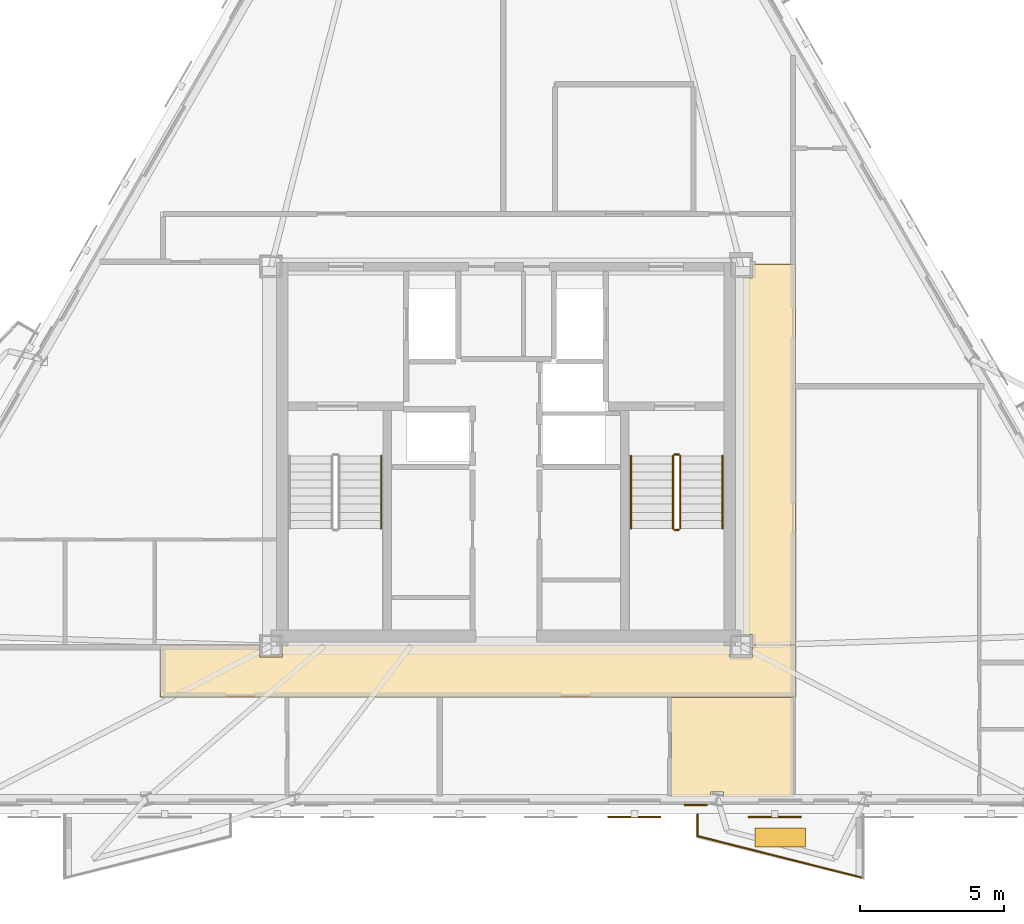
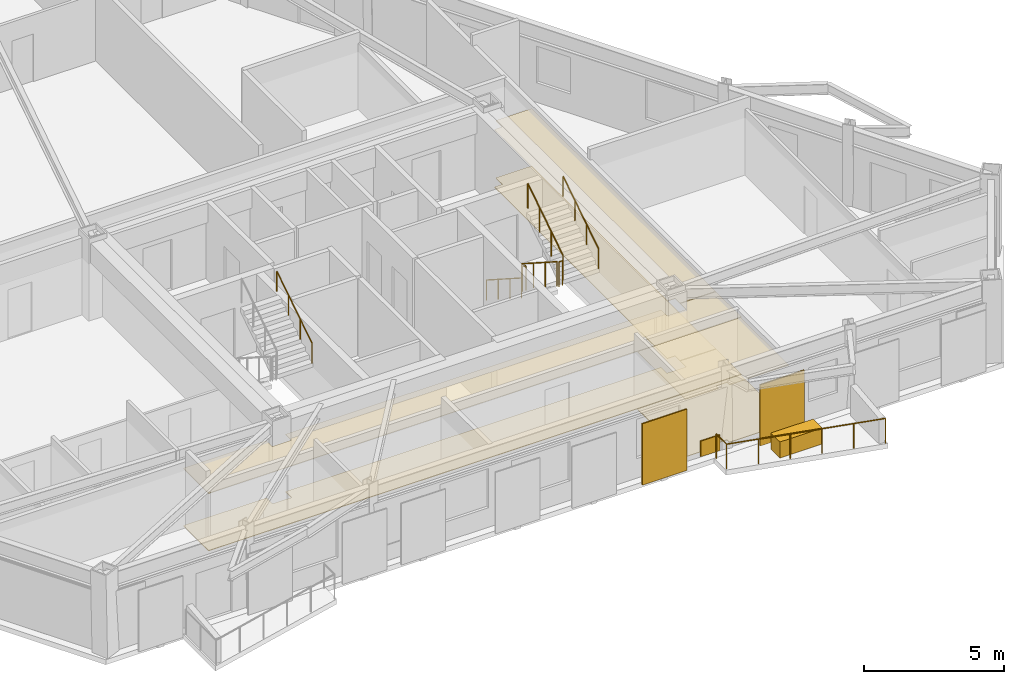
# One storey, part 7 of 8: 9 railings, 8 coverings, 2 shading devices.
"""IFC4 building model written with IfcOpenShell, lengths in metres."""

import ifcopenshell
import ifcopenshell.guid

model = None  # the IFC model being written
_history = None  # IfcOwnerHistory: only IFC2X3 demands one
_inside = {}  # id of a spatial element -> (the spatial element, [elements in it])
_under = {}  # id of a project, library or spatial element -> (it, [spatial elements below it])
_declared = {}  # id of a project -> (the project, [libraries it declares])
_typed = {}  # id of a type object -> (the type object, [elements of that type])
_made_of = {}  # id of a material, layer set ... -> (it, [elements and type objects made of it])


def new_model(schema):
    """Start an empty IFC model of exactly this schema.

    Asked for "IFC4X3", IfcOpenShell would pick the latest addendum, in which some entities
    have other attributes; the version numbers below select the first issue.
    IFC2X3 requires an IfcOwnerHistory on every rooted entity: one is made here for all.
    """
    global model, _history
    if schema == "IFC4X3":
        model = ifcopenshell.file(schema_version=(4, 3, 0, 0))
    else:
        model = ifcopenshell.file(schema=schema)
    _inside.clear()
    _under.clear()
    _declared.clear()
    _typed.clear()
    _made_of.clear()
    _history = None
    if model.schema == "IFC2X3":
        org = make("IfcOrganization", Name="unknown")
        user = make(
            "IfcPersonAndOrganization",
            ThePerson=make("IfcPerson", FamilyName="unknown"),
            TheOrganization=org,
        )
        app = make(
            "IfcApplication",
            ApplicationDeveloper=org,
            Version="unknown",
            ApplicationFullName="unknown",
            ApplicationIdentifier="unknown",
        )
        _history = make(
            "IfcOwnerHistory",
            OwningUser=user,
            OwningApplication=app,
            ChangeAction="ADDED",
            CreationDate=0,
        )
    return model


def make(cls, **values):
    """One entity of the class cls with the attributes given. An attribute that is None is left unset."""
    return model.create_entity(
        cls, **{name: value for name, value in values.items() if value is not None}
    )


def rooted(cls, **values):
    """An entity with a GlobalId (a new one), such as an element, a storey or a relation."""
    return make(cls, GlobalId=ifcopenshell.guid.new(), OwnerHistory=_history, **values)


def si_unit(unit_type, name, prefix=None):
    """IfcSIUnit, for example si_unit("LENGTHUNIT", "METRE", prefix="MILLI")."""
    return make("IfcSIUnit", UnitType=unit_type, Prefix=prefix, Name=name)


def assignment(units):
    """IfcUnitAssignment: the units of a project."""
    return None if units is None else make("IfcUnitAssignment", Units=units)


def point(xyz):
    """IfcCartesianPoint."""
    return None if xyz is None else make("IfcCartesianPoint", Coordinates=xyz)


def direction(xyz):
    """IfcDirection."""
    return None if xyz is None else make("IfcDirection", DirectionRatios=xyz)


def frame(location, z_axis=None, x_axis=None):
    """IfcAxis2Placement3D, a coordinate frame: its origin and axes. An axis left out is left unset."""
    return make(
        "IfcAxis2Placement3D",
        Location=point(location),
        Axis=direction(z_axis),
        RefDirection=direction(x_axis),
    )


def frame_2d(location, x_axis=None):
    """IfcAxis2Placement2D, a coordinate frame in the plane: its origin and x axis."""
    return make(
        "IfcAxis2Placement2D", Location=point(location), RefDirection=direction(x_axis)
    )


def origin():
    """The frame at (0, 0, 0) with its axes left unset."""
    return frame((0.0, 0.0, 0.0))


def origin_2d():
    """The frame at (0, 0) in the plane with its x axis left unset."""
    return frame_2d((0.0, 0.0))


def place(relative_to, where):
    """IfcLocalPlacement: puts the frame where relative to a parent placement (None: the world)."""
    return make(
        "IfcLocalPlacement", PlacementRelTo=relative_to, RelativePlacement=where
    )


def context(
    kind, dimensions, precision=None, world=None, true_north=None, identifier=None
):
    """IfcGeometricRepresentationContext, for example the 3D "Model" context."""
    return make(
        "IfcGeometricRepresentationContext",
        ContextIdentifier=identifier,
        ContextType=kind,
        CoordinateSpaceDimension=dimensions,
        Precision=precision,
        WorldCoordinateSystem=world,
        TrueNorth=true_north,
    )


def subcontext(parent, identifier, kind, view, scale=None):
    """IfcGeometricRepresentationSubContext, for example "Body" below "Model"."""
    return make(
        "IfcGeometricRepresentationSubContext",
        ContextIdentifier=identifier,
        ContextType=kind,
        ParentContext=parent,
        TargetScale=scale,
        TargetView=view,
    )


def project(units=None, contexts=None):
    """IfcProject with its units and contexts."""
    return rooted(
        "IfcProject",
        Name="project",
        RepresentationContexts=contexts,
        UnitsInContext=assignment(units),
    )


def spatial(cls, under=None, at=None, **own):
    """A site, building, storey or space (cls), placed at a placement, below another one or the project."""
    s = rooted(cls, ObjectPlacement=at, **own)
    if under is not None:
        _under.setdefault(under.id(), (under, []))[1].append(s)
    return s


def polyline(points):
    """IfcPolyline through the points."""
    return make("IfcPolyline", Points=[point(p) for p in points])


def profile(cls, at=None, kind="AREA", **sizes):
    """A parametric profile (cls). Its sizes go by their IFC names, for example OverallWidth=200.0."""
    return make(cls, ProfileType=kind, Position=at, **sizes)


def rectangle(**sizes):
    """IfcRectangleProfileDef."""
    return profile("IfcRectangleProfileDef", **sizes)


def circle(**sizes):
    """IfcCircleProfileDef."""
    return profile("IfcCircleProfileDef", **sizes)


def outline(outer, holes=None, kind="AREA"):
    """IfcArbitraryClosedProfileDef: a profile drawn as a closed curve; with holes, ...WithVoids."""
    if holes is None:
        return make("IfcArbitraryClosedProfileDef", ProfileType=kind, OuterCurve=outer)
    return make(
        "IfcArbitraryProfileDefWithVoids",
        ProfileType=kind,
        OuterCurve=outer,
        InnerCurves=holes,
    )


def extrude(swept, where, along, depth):
    """IfcExtrudedAreaSolid: the profile swept, set in the frame where, extruded along a direction by depth."""
    return make(
        "IfcExtrudedAreaSolid",
        SweptArea=swept,
        Position=where,
        ExtrudedDirection=direction(along),
        Depth=depth,
    )


def shape(context_of_items, identifier, shape_type, items):
    """IfcShapeRepresentation: the items that make up one representation, for example the "Body"."""
    return make(
        "IfcShapeRepresentation",
        ContextOfItems=context_of_items,
        RepresentationIdentifier=identifier,
        RepresentationType=shape_type,
        Items=items,
    )


def material(Name=None, Category=None):
    """IfcMaterial."""
    return make("IfcMaterial", Name=Name, Category=Category)


def layer(
    of_material, thickness, ventilated=None, Name=None, Category=None, Priority=None
):
    """IfcMaterialLayer: one layer of a wall or slab, of a material (None: an air gap)."""
    return make(
        "IfcMaterialLayer",
        Material=of_material,
        LayerThickness=thickness,
        IsVentilated=ventilated,
        Name=Name,
        Category=Category,
        Priority=Priority,
    )


def layer_set(layers, Name=None):
    """IfcMaterialLayerSet."""
    return make("IfcMaterialLayerSet", MaterialLayers=layers, LayerSetName=Name)


def made_of(thing, what):
    """Note that an element or type object is made of a material, layer set ...; save() writes the relation."""
    if what is not None:
        _made_of.setdefault(what.id(), (what, []))[1].append(thing)
    return thing


def type_object(cls, material=None, **own):
    """A type object (cls), such as IfcWallType, which elements share."""
    return made_of(rooted(cls, **own), material)


def element(
    cls,
    number,
    at=None,
    inside=None,
    cuts=None,
    type_object=None,
    material=None,
    context=None,
    identifier="Body",
    shape_type=None,
    held_by="IfcProductDefinitionShape",
    body=None,
    shapes=None,
    **own,
):
    """One element of the class cls, such as IfcWall. Its Tag is "e" and its number.

    at: its placement. inside: the storey or other place that contains it. cuts: it is an
    opening in that element (IfcRelVoidsElement). A single representation is given by context,
    identifier, shape_type and body (its items); several are given by shapes. held_by: the class
    of the entity that holds the representations. save() writes the other relations.
    """
    e = rooted(cls, Tag="e%d" % number, ObjectPlacement=at, **own)
    if body is not None:
        shapes = [shape(context, identifier, shape_type, body)]
    if shapes is not None:
        e.Representation = make(held_by, Representations=shapes)
    if inside is not None:
        _inside.setdefault(inside.id(), (inside, []))[1].append(e)
    if cuts is not None:
        rooted(
            "IfcRelVoidsElement", RelatingBuildingElement=cuts, RelatedOpeningElement=e
        )
    if type_object is not None:
        _typed.setdefault(type_object.id(), (type_object, []))[1].append(e)
    return made_of(e, material)


def aggregate(whole, parts):
    """IfcRelAggregates: a whole, such as a stair, and the parts it consists of."""
    return rooted("IfcRelAggregates", RelatingObject=whole, RelatedObjects=parts)


def save(model, path):
    """Write the relations noted so far, then the file.

    IfcRelAggregates (storeys below a building ...), IfcRelContainedInSpatialStructure (elements
    in a storey), IfcRelDefinesByType, IfcRelAssociatesMaterial and IfcRelDeclares: one each for
    every whole, place, type object, material and project.
    """
    for whole, parts in _under.values():
        aggregate(whole, parts)
    for where, things in _inside.values():
        rooted(
            "IfcRelContainedInSpatialStructure",
            RelatedElements=things,
            RelatingStructure=where,
        )
    for kind, things in _typed.values():
        rooted("IfcRelDefinesByType", RelatedObjects=things, RelatingType=kind)
    for what, things in _made_of.values():
        rooted("IfcRelAssociatesMaterial", RelatedObjects=things, RelatingMaterial=what)
    for by, libraries in _declared.values():
        rooted("IfcRelDeclares", RelatingContext=by, RelatedDefinitions=libraries)
    model.write(path)


model = new_model("IFC4")

# Units and contexts
model_context = context("Model", 3, precision=1e-05, world=origin(), true_north=direction((0.0, 1.0)))
body_context = subcontext(model_context, "Body", "Model", "MODEL_VIEW")
ifc_project = project(units=[si_unit("LENGTHUNIT", "METRE"), si_unit("AREAUNIT", "SQUARE_METRE"), si_unit("VOLUMEUNIT", "CUBIC_METRE"), si_unit("PLANEANGLEUNIT", "RADIAN"), si_unit("MASSUNIT", "GRAM", prefix="KILO")], contexts=[model_context])

# Site, building, storey
site_placement = place(None, origin())
site = spatial("IfcSite", under=ifc_project, at=site_placement, CompositionType="ELEMENT")
building_placement = place(site_placement, origin())
building = spatial("IfcBuilding", under=site, at=building_placement, Name="Oramaril Tower", CompositionType="ELEMENT")
storey_placement = place(building_placement, frame((0.0, 0.0, 216.300048828125)))
storey = spatial("IfcBuildingStorey", under=building, at=storey_placement, Name="L57", CompositionType="ELEMENT", Elevation=216.300048828125)

# Coverings
ifc_material_1 = material(Name="Mineral Fibre Acoustic Ceiling")
ifc_layer_1 = layer(ifc_material_1, 0.02001953125)
ifc_layer_set_1 = layer_set([ifc_layer_1], Name="CVT-CEIL")
covering_type_1 = type_object("IfcCoveringType", Name="CVT-CEIL", PredefinedType="CEILING", material=ifc_layer_set_1)
covering_1_placement = place(storey_placement, frame((0.0, 0.0, 2.511962890625)))
element("IfcCovering", 1, at=covering_1_placement, inside=storey, type_object=covering_type_1, Name="L57 Acoustic Suspended Ceiling 1", PredefinedType="CEILING", context=body_context, shape_type="SweptSolid", body=[
    extrude(outline(polyline([(28.955078125, 10.60498046875), (29.7451171875, 10.60498046875), (29.7451171875, 11.030029296875), (45.2548828125, 11.030029296875), (45.2548828125, 10.60498046875), (46.044921875, 10.60498046875), (46.044921875, 11.030029296875), (47.530029296875, 11.030029296875), (47.530029296875, 9.219970703125), (25.52001953125, 9.219970703125), (25.52001953125, 11.030029296875), (28.955078125, 11.030029296875), (28.955078125, 10.60498046875)])), origin(), (0.0, 0.0, 1.0), 0.02001953125),
])
covering_2_placement = place(storey_placement, frame((0.0, 0.0, 2.511962890625)))
element("IfcCovering", 2, at=covering_2_placement, inside=storey, type_object=covering_type_1, Name="L57 Acoustic Suspended Ceiling 3", PredefinedType="CEILING", context=body_context, shape_type="SweptSolid", body=[
    extrude(outline(polyline([(47.530029296875, 11.050048828125), (46.044921875, 11.050048828125), (46.044921875, 11.39501953125), (45.719970703125, 11.39501953125), (45.719970703125, 23.7548828125), (46.044921875, 23.7548828125), (46.044921875, 24.219970703125), (47.530029296875, 24.219970703125), (47.530029296875, 11.050048828125)])), origin(), (0.0, 0.0, 1.0), 0.02001953125),
])
covering_3_placement = place(storey_placement, frame((0.0, 0.0, 2.511962890625)))
element("IfcCovering", 3, at=covering_3_placement, inside=storey, type_object=covering_type_1, Name="L57 Acoustic Suspended Ceiling 8", PredefinedType="CEILING", context=body_context, shape_type="SweptSolid", body=[
    extrude(outline(polyline([(45.046142578125, 5.9375), (44.59619140625, 5.9375), (44.59619140625, 5.759765625), (43.224609375, 5.759765625), (43.224609375, 9.199951171875), (47.491943359375, 9.199951171875), (47.491943359375, 5.759765625), (45.046142578125, 5.759765625), (45.046142578125, 5.9375)])), origin(), (0.0, 0.0, 1.0), 0.02001953125),
])
ifc_material_2 = material(Name="Warm Cream Limestone", Category="masonry")
ifc_layer_2 = layer(ifc_material_2, 0.050048828125)
ifc_layer_set_2 = layer_set([ifc_layer_2], Name="CVT-CLD")
covering_type_2 = type_object("IfcCoveringType", Name="CVT-CLD", PredefinedType="CLADDING", material=ifc_layer_set_2)
covering_4_placement = place(storey_placement, frame((44.083984375, 5.483642578125, 0.0400390625), z_axis=(0.0, 0.0, 1.0), x_axis=(1.0, 0.0, 0.0)))
element("IfcCovering", 4, at=covering_4_placement, inside=storey, type_object=covering_type_2, Name="L57 Warm Cream Limestone Spandrel Cladding", PredefinedType="CLADDING", context=body_context, shape_type="SweptSolid", body=[
    extrude(rectangle(XDim=0.800048828125, YDim=0.050048828125, at=origin_2d()), origin(), (0.0, 0.0, 1.0), 0.679931640625),
])
covering_5_placement = place(storey_placement, frame((47.0048828125, 4.355224609375, 0.0), z_axis=(0.0, 0.0, 1.0), x_axis=(1.0, 0.0, 0.0)))
element("IfcCovering", 5, at=covering_5_placement, inside=storey, type_object=covering_type_2, Name="L57 Structural Tree Planter Box L57-BAL-S2", PredefinedType="CLADDING", context=body_context, shape_type="SweptSolid", body=[
    extrude(rectangle(XDim=1.75, YDim=0.64990234375, at=origin_2d()), origin(), (0.0, 0.0, 1.0), 0.699951171875),
])
ifc_material_3 = material(Name="Honed Quartzite Stone Flooring", Category="masonry")
ifc_layer_3 = layer(ifc_material_3, 0.02490234375)
ifc_layer_set_3 = layer_set([ifc_layer_3], Name="CVT-FLR")
covering_type_3 = type_object("IfcCoveringType", Name="CVT-FLR", PredefinedType="FLOORING", material=ifc_layer_set_3)
covering_6_placement = place(storey_placement, origin())
element("IfcCovering", 6, at=covering_6_placement, inside=storey, type_object=covering_type_3, Name="L57 Honed Stone Floor Finish 1", PredefinedType="FLOORING", context=body_context, shape_type="SweptSolid", body=[
    extrude(outline(polyline([(28.955078125, 10.60498046875), (29.7451171875, 10.60498046875), (29.7451171875, 11.030029296875), (45.2548828125, 11.030029296875), (45.2548828125, 10.60498046875), (46.044921875, 10.60498046875), (46.044921875, 11.030029296875), (47.530029296875, 11.030029296875), (47.530029296875, 9.219970703125), (25.52001953125, 9.219970703125), (25.52001953125, 11.030029296875), (28.955078125, 11.030029296875), (28.955078125, 10.60498046875)])), origin(), (0.0, 0.0, 1.0), 0.02490234375),
])
covering_7_placement = place(storey_placement, origin())
element("IfcCovering", 7, at=covering_7_placement, inside=storey, type_object=covering_type_3, Name="L57 Honed Stone Floor Finish 3", PredefinedType="FLOORING", context=body_context, shape_type="SweptSolid", body=[
    extrude(outline(polyline([(47.530029296875, 11.050048828125), (46.044921875, 11.050048828125), (46.044921875, 11.39501953125), (45.719970703125, 11.39501953125), (45.719970703125, 23.7548828125), (46.044921875, 23.7548828125), (46.044921875, 24.219970703125), (47.530029296875, 24.219970703125), (47.530029296875, 11.050048828125)])), origin(), (0.0, 0.0, 1.0), 0.02490234375),
])
covering_8_placement = place(storey_placement, origin())
element("IfcCovering", 8, at=covering_8_placement, inside=storey, type_object=covering_type_3, Name="L57 Honed Stone Floor Finish 8", PredefinedType="FLOORING", context=body_context, shape_type="SweptSolid", body=[
    extrude(outline(polyline([(45.046142578125, 5.9375), (44.59619140625, 5.9375), (44.59619140625, 5.759765625), (43.224609375, 5.759765625), (43.224609375, 9.199951171875), (47.491943359375, 9.199951171875), (47.491943359375, 5.759765625), (45.046142578125, 5.759765625), (45.046142578125, 5.9375)])), origin(), (0.0, 0.0, 1.0), 0.02490234375),
])

# Railings
ifc_material_4 = material(Name="Stainless Steel 316L", Category="steel")
railing_type_1 = type_object("IfcRailingType", Name="RLT-GRD", PredefinedType="GUARDRAIL", material=ifc_material_4)
railing_1_placement = place(storey_placement, frame((49.869873046875, 2.95166015625, 0.0)))
element("IfcRailing", 9, at=railing_1_placement, inside=storey, type_object=railing_type_1, Name="L57 Balcony Guardrail L57-BAL-S2.2", PredefinedType="GUARDRAIL", context=body_context, shape_type="SweptSolid", body=[
    extrude(circle(Radius=0.02392578125, at=origin_2d()), frame((0.0, 0.0, 1.076171875), z_axis=(-0.969443611257, 0.245314256807, 0.0), x_axis=(-0.245314256807, -0.969443611257, 0.0)), (0.0, 0.0, 1.0), 5.91064453125),
    extrude(circle(Radius=0.02099609375, at=origin_2d()), origin(), (0.0, 0.0, 1.0), 1.052001953125),
    extrude(circle(Radius=0.02099609375, at=origin_2d()), frame((-1.14599609375, 0.2900390625, 0.0)), (0.0, 0.0, 1.0), 1.052001953125),
    extrude(circle(Radius=0.02099609375, at=origin_2d()), frame((-2.2919921875, 0.580078125, 0.0)), (0.0, 0.0, 1.0), 1.052001953125),
    extrude(circle(Radius=0.02099609375, at=origin_2d()), frame((-3.43798828125, 0.869873046875, 0.0)), (0.0, 0.0, 1.0), 1.052001953125),
    extrude(circle(Radius=0.02099609375, at=origin_2d()), frame((-4.583984375, 1.159912109375, 0.0)), (0.0, 0.0, 1.0), 1.052001953125),
    extrude(circle(Radius=0.02099609375, at=origin_2d()), frame((-5.72998046875, 1.449951171875, 0.0)), (0.0, 0.0, 1.0), 1.052001953125),
])
railing_2_placement = place(storey_placement, frame((44.139892578125, 4.401611328125, 0.0)))
element("IfcRailing", 10, at=railing_2_placement, inside=storey, type_object=railing_type_1, Name="L57 Balcony Guardrail L57-BAL-S2.3", PredefinedType="GUARDRAIL", context=body_context, shape_type="SweptSolid", body=[
    extrude(circle(Radius=0.02392578125, at=origin_2d()), frame((0.0, 0.0, 1.076171875), z_axis=(0.0, 1.0, 0.0), x_axis=(-1.0, 0.0, 0.0)), (0.0, 0.0, 1.0), 0.7421875),
    extrude(circle(Radius=0.02099609375, at=origin_2d()), origin(), (0.0, 0.0, 1.0), 1.052001953125),
    extrude(circle(Radius=0.02099609375, at=origin_2d()), frame((0.0, 0.7421875, 0.0)), (0.0, 0.0, 1.0), 1.052001953125),
])
railing_3_placement = place(storey_placement, frame((43.2900390625, 17.590087890625, 0.179931640625)))
element("IfcRailing", 11, at=railing_3_placement, inside=storey, type_object=railing_type_1, Name="L57 ST-2 stair guard 1", PredefinedType="GUARDRAIL", context=body_context, shape_type="SweptSolid", body=[
    extrude(circle(Radius=0.02392578125, at=origin_2d()), frame((0.0, 0.0, 1.076171875), z_axis=(0.0, -0.841162588446, 0.540782303519), x_axis=(1.0, 0.0, 0.0)), (0.0, 0.0, 1.0), 2.995849609375),
    extrude(circle(Radius=0.02099609375, at=origin_2d()), origin(), (0.0, 0.0, 1.0), 1.052001953125),
    extrude(circle(Radius=0.02099609375, at=origin_2d()), frame((0.0, -0.840087890625, 0.5400390625)), (0.0, 0.0, 1.0), 1.052001953125),
    extrude(circle(Radius=0.02099609375, at=origin_2d()), frame((0.0, -1.679931640625, 1.080078125)), (0.0, 0.0, 1.0), 1.052001953125),
    extrude(circle(Radius=0.02099609375, at=origin_2d()), frame((0.0, -2.52001953125, 1.6201171875)), (0.0, 0.0, 1.0), 1.052001953125),
])
railing_4_placement = place(storey_placement, frame((43.340087890625, 15.02001953125, 1.800048828125)))
element("IfcRailing", 12, at=railing_4_placement, inside=storey, type_object=railing_type_1, Name="L57 ST-2 stair guard 2", PredefinedType="GUARDRAIL", context=body_context, shape_type="SweptSolid", body=[
    extrude(circle(Radius=0.02392578125, at=origin_2d()), frame((0.0, 0.0, 1.076171875), z_axis=(1.0, 0.0, 0.0), x_axis=(0.0, 1.0, 0.0)), (0.0, 0.0, 1.0), 0.14990234375),
    extrude(circle(Radius=0.02099609375, at=origin_2d()), origin(), (0.0, 0.0, 1.0), 1.052001953125),
    extrude(circle(Radius=0.02099609375, at=origin_2d()), frame((0.14990234375, 0.0, 0.0)), (0.0, 0.0, 1.0), 1.052001953125),
])
railing_5_placement = place(storey_placement, frame((43.5400390625, 15.070068359375, 1.97998046875)))
element("IfcRailing", 13, at=railing_5_placement, inside=storey, type_object=railing_type_1, Name="L57 ST-2 stair guard 3", PredefinedType="GUARDRAIL", context=body_context, shape_type="SweptSolid", body=[
    extrude(circle(Radius=0.02392578125, at=origin_2d()), frame((0.0, 0.0, 1.076171875), z_axis=(0.0, 0.841199657755, 0.540724639528), x_axis=(-1.0, 0.0, 0.0)), (0.0, 0.0, 1.0), 2.995849609375),
    extrude(circle(Radius=0.02099609375, at=origin_2d()), origin(), (0.0, 0.0, 1.0), 1.052001953125),
    extrude(circle(Radius=0.02099609375, at=origin_2d()), frame((0.0, 0.840087890625, 0.5400390625)), (0.0, 0.0, 1.0), 1.052001953125),
    extrude(circle(Radius=0.02099609375, at=origin_2d()), frame((0.0, 1.679931640625, 1.079833984375)), (0.0, 0.0, 1.0), 1.052001953125),
    extrude(circle(Radius=0.02099609375, at=origin_2d()), frame((0.0, 2.52001953125, 1.619873046875)), (0.0, 0.0, 1.0), 1.052001953125),
])
railing_6_placement = place(storey_placement, frame((43.340087890625, 17.639892578125, 0.0)))
element("IfcRailing", 14, at=railing_6_placement, inside=storey, type_object=railing_type_1, Name="L57 ST-2 stair guard 4", PredefinedType="GUARDRAIL", context=body_context, shape_type="SweptSolid", body=[
    extrude(circle(Radius=0.02392578125, at=origin_2d()), frame((0.0, 0.0, 1.076171875), z_axis=(1.0, 0.0, 0.0), x_axis=(0.0, 1.0, 0.0)), (0.0, 0.0, 1.0), 0.14990234375),
    extrude(circle(Radius=0.02099609375, at=origin_2d()), origin(), (0.0, 0.0, 1.0), 1.052001953125),
    extrude(circle(Radius=0.02099609375, at=origin_2d()), frame((0.14990234375, 0.0, 0.0)), (0.0, 0.0, 1.0), 1.052001953125),
])
ifc_material_5 = material(Name="Stainless Steel 316L", Category="steel")
railing_type_2 = type_object("IfcRailingType", Name="RLT-HND", PredefinedType="HANDRAIL", material=ifc_material_5)
railing_7_placement = place(storey_placement, frame((33.169921875, 15.070068359375, 1.97998046875)))
element("IfcRailing", 15, at=railing_7_placement, inside=storey, type_object=railing_type_2, Name="L57 ST-1 stair handrail 2", PredefinedType="HANDRAIL", context=body_context, shape_type="SweptSolid", body=[
    extrude(circle(Radius=0.02392578125, at=origin_2d()), frame((0.0, 0.0, 0.8759765625), z_axis=(0.0, 0.841199657755, 0.540724639528), x_axis=(-1.0, 0.0, 0.0)), (0.0, 0.0, 1.0), 2.995849609375),
    extrude(circle(Radius=0.02099609375, at=origin_2d()), origin(), (0.0, 0.0, 1.0), 0.851806640625),
    extrude(circle(Radius=0.02099609375, at=origin_2d()), frame((0.0, 0.840087890625, 0.5400390625)), (0.0, 0.0, 1.0), 0.851806640625),
    extrude(circle(Radius=0.02099609375, at=origin_2d()), frame((0.0, 1.679931640625, 1.079833984375)), (0.0, 0.0, 1.0), 0.851806640625),
    extrude(circle(Radius=0.02099609375, at=origin_2d()), frame((0.0, 2.52001953125, 1.619873046875)), (0.0, 0.0, 1.0), 0.851806640625),
])
railing_8_placement = place(storey_placement, frame((41.830078125, 17.590087890625, 0.179931640625)))
element("IfcRailing", 16, at=railing_8_placement, inside=storey, type_object=railing_type_2, Name="L57 ST-2 stair handrail 1", PredefinedType="HANDRAIL", context=body_context, shape_type="SweptSolid", body=[
    extrude(circle(Radius=0.02392578125, at=origin_2d()), frame((0.0, 0.0, 0.8759765625), z_axis=(0.0, -0.841162588446, 0.540782303519), x_axis=(1.0, 0.0, 0.0)), (0.0, 0.0, 1.0), 2.995849609375),
    extrude(circle(Radius=0.02099609375, at=origin_2d()), origin(), (0.0, 0.0, 1.0), 0.851806640625),
    extrude(circle(Radius=0.02099609375, at=origin_2d()), frame((0.0, -0.840087890625, 0.5400390625)), (0.0, 0.0, 1.0), 0.851806640625),
    extrude(circle(Radius=0.02099609375, at=origin_2d()), frame((0.0, -1.679931640625, 1.080078125)), (0.0, 0.0, 1.0), 0.851806640625),
    extrude(circle(Radius=0.02099609375, at=origin_2d()), frame((0.0, -2.52001953125, 1.6201171875)), (0.0, 0.0, 1.0), 0.851806640625),
])
railing_9_placement = place(storey_placement, frame((45.0, 15.070068359375, 1.97998046875)))
element("IfcRailing", 17, at=railing_9_placement, inside=storey, type_object=railing_type_2, Name="L57 ST-2 stair handrail 2", PredefinedType="HANDRAIL", context=body_context, shape_type="SweptSolid", body=[
    extrude(circle(Radius=0.02392578125, at=origin_2d()), frame((0.0, 0.0, 0.8759765625), z_axis=(0.0, 0.841199657755, 0.540724639528), x_axis=(-1.0, 0.0, 0.0)), (0.0, 0.0, 1.0), 2.995849609375),
    extrude(circle(Radius=0.02099609375, at=origin_2d()), origin(), (0.0, 0.0, 1.0), 0.851806640625),
    extrude(circle(Radius=0.02099609375, at=origin_2d()), frame((0.0, 0.840087890625, 0.5400390625)), (0.0, 0.0, 1.0), 0.851806640625),
    extrude(circle(Radius=0.02099609375, at=origin_2d()), frame((0.0, 1.679931640625, 1.079833984375)), (0.0, 0.0, 1.0), 0.851806640625),
    extrude(circle(Radius=0.02099609375, at=origin_2d()), frame((0.0, 2.52001953125, 1.619873046875)), (0.0, 0.0, 1.0), 0.851806640625),
])

# Shading devices
for number, where, z_axis, x_axis, name in (
    (18, (41.947998046875, 5.07177734375, -0.02001953125), (0.0, 0.0, 1.0), (1.0, 0.0, 0.0), "L57 Perforated Ceramic Solar Screen"),
    (19, (46.81591796875, 5.07177734375, -0.02001953125), (0.0, 0.0, 1.0), (1.0, 0.0, 0.0), "L57 Perforated Ceramic Solar Screen"),
):
    element("IfcShadingDevice", number, at=place(storey_placement, frame(where, z_axis=z_axis, x_axis=x_axis)), inside=storey, Name=name, ObjectType="SCREEN", PredefinedType="USERDEFINED", context=body_context, shape_type="SweptSolid", body=[
        extrude(rectangle(XDim=1.8330078125, YDim=0.050048828125, at=origin_2d()), origin(), (0.0, 0.0, 1.0), 2.677001953125),
    ])

save(model, "model.ifc")
